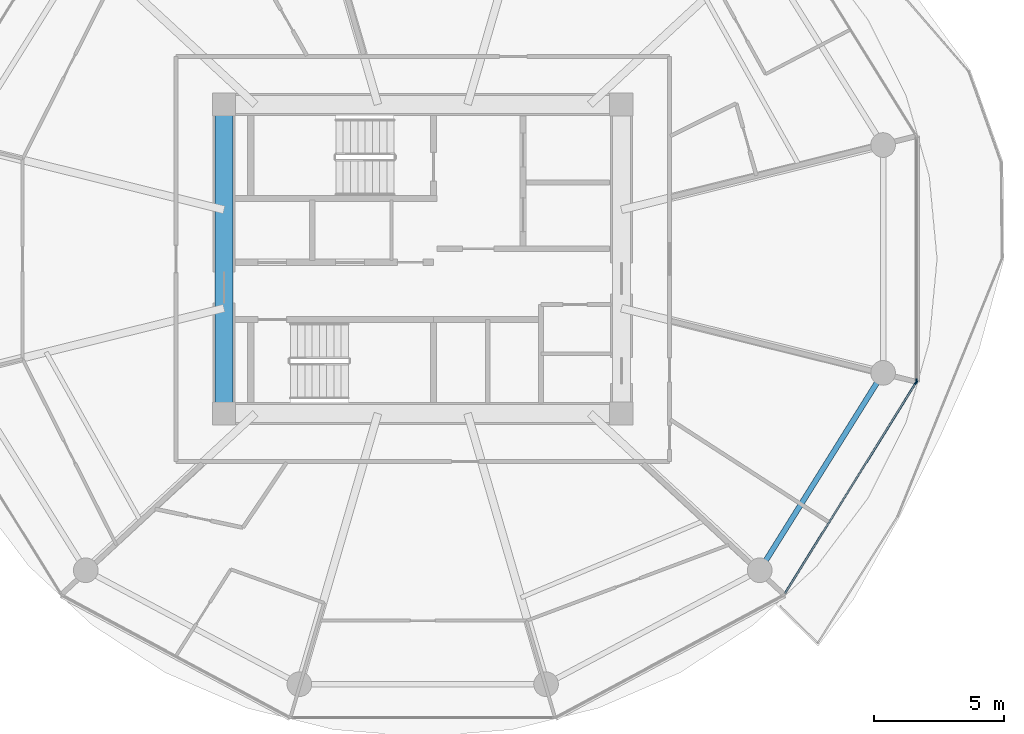
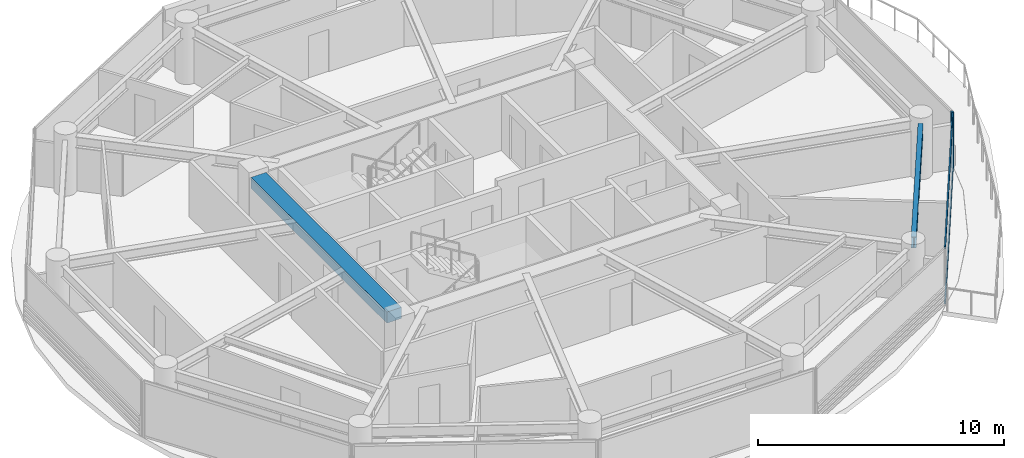
# One storey, part 12 of 28: 4 members, 2 beams, 2 elements without a shape of their own.
"""IFC4 building model written with IfcOpenShell, lengths in metres."""

import ifcopenshell
import ifcopenshell.guid

model = None  # the IFC model being written
_history = None  # IfcOwnerHistory: only IFC2X3 demands one
_inside = {}  # id of a spatial element -> (the spatial element, [elements in it])
_under = {}  # id of a project, library or spatial element -> (it, [spatial elements below it])
_declared = {}  # id of a project -> (the project, [libraries it declares])
_typed = {}  # id of a type object -> (the type object, [elements of that type])
_made_of = {}  # id of a material, layer set ... -> (it, [elements and type objects made of it])


def new_model(schema):
    """Start an empty IFC model of exactly this schema.

    Asked for "IFC4X3", IfcOpenShell would pick the latest addendum, in which some entities
    have other attributes; the version numbers below select the first issue.
    IFC2X3 requires an IfcOwnerHistory on every rooted entity: one is made here for all.
    """
    global model, _history
    if schema == "IFC4X3":
        model = ifcopenshell.file(schema_version=(4, 3, 0, 0))
    else:
        model = ifcopenshell.file(schema=schema)
    _inside.clear()
    _under.clear()
    _declared.clear()
    _typed.clear()
    _made_of.clear()
    _history = None
    if model.schema == "IFC2X3":
        org = make("IfcOrganization", Name="unknown")
        user = make(
            "IfcPersonAndOrganization",
            ThePerson=make("IfcPerson", FamilyName="unknown"),
            TheOrganization=org,
        )
        app = make(
            "IfcApplication",
            ApplicationDeveloper=org,
            Version="unknown",
            ApplicationFullName="unknown",
            ApplicationIdentifier="unknown",
        )
        _history = make(
            "IfcOwnerHistory",
            OwningUser=user,
            OwningApplication=app,
            ChangeAction="ADDED",
            CreationDate=0,
        )
    return model


def make(cls, **values):
    """One entity of the class cls with the attributes given. An attribute that is None is left unset."""
    return model.create_entity(
        cls, **{name: value for name, value in values.items() if value is not None}
    )


def rooted(cls, **values):
    """An entity with a GlobalId (a new one), such as an element, a storey or a relation."""
    return make(cls, GlobalId=ifcopenshell.guid.new(), OwnerHistory=_history, **values)


def si_unit(unit_type, name, prefix=None):
    """IfcSIUnit, for example si_unit("LENGTHUNIT", "METRE", prefix="MILLI")."""
    return make("IfcSIUnit", UnitType=unit_type, Prefix=prefix, Name=name)


def assignment(units):
    """IfcUnitAssignment: the units of a project."""
    return None if units is None else make("IfcUnitAssignment", Units=units)


def point(xyz):
    """IfcCartesianPoint."""
    return None if xyz is None else make("IfcCartesianPoint", Coordinates=xyz)


def direction(xyz):
    """IfcDirection."""
    return None if xyz is None else make("IfcDirection", DirectionRatios=xyz)


def frame(location, z_axis=None, x_axis=None):
    """IfcAxis2Placement3D, a coordinate frame: its origin and axes. An axis left out is left unset."""
    return make(
        "IfcAxis2Placement3D",
        Location=point(location),
        Axis=direction(z_axis),
        RefDirection=direction(x_axis),
    )


def frame_2d(location, x_axis=None):
    """IfcAxis2Placement2D, a coordinate frame in the plane: its origin and x axis."""
    return make(
        "IfcAxis2Placement2D", Location=point(location), RefDirection=direction(x_axis)
    )


def origin():
    """The frame at (0, 0, 0) with its axes left unset."""
    return frame((0.0, 0.0, 0.0))


def origin_2d():
    """The frame at (0, 0) in the plane with its x axis left unset."""
    return frame_2d((0.0, 0.0))


def place(relative_to, where):
    """IfcLocalPlacement: puts the frame where relative to a parent placement (None: the world)."""
    return make(
        "IfcLocalPlacement", PlacementRelTo=relative_to, RelativePlacement=where
    )


def context(
    kind, dimensions, precision=None, world=None, true_north=None, identifier=None
):
    """IfcGeometricRepresentationContext, for example the 3D "Model" context."""
    return make(
        "IfcGeometricRepresentationContext",
        ContextIdentifier=identifier,
        ContextType=kind,
        CoordinateSpaceDimension=dimensions,
        Precision=precision,
        WorldCoordinateSystem=world,
        TrueNorth=true_north,
    )


def subcontext(parent, identifier, kind, view, scale=None):
    """IfcGeometricRepresentationSubContext, for example "Body" below "Model"."""
    return make(
        "IfcGeometricRepresentationSubContext",
        ContextIdentifier=identifier,
        ContextType=kind,
        ParentContext=parent,
        TargetScale=scale,
        TargetView=view,
    )


def project(units=None, contexts=None):
    """IfcProject with its units and contexts."""
    return rooted(
        "IfcProject",
        Name="project",
        RepresentationContexts=contexts,
        UnitsInContext=assignment(units),
    )


def spatial(cls, under=None, at=None, **own):
    """A site, building, storey or space (cls), placed at a placement, below another one or the project."""
    s = rooted(cls, ObjectPlacement=at, **own)
    if under is not None:
        _under.setdefault(under.id(), (under, []))[1].append(s)
    return s


def profile(cls, at=None, kind="AREA", **sizes):
    """A parametric profile (cls). Its sizes go by their IFC names, for example OverallWidth=200.0."""
    return make(cls, ProfileType=kind, Position=at, **sizes)


def rectangle(**sizes):
    """IfcRectangleProfileDef."""
    return profile("IfcRectangleProfileDef", **sizes)


def i_section(**sizes):
    """IfcIShapeProfileDef."""
    return profile("IfcIShapeProfileDef", **sizes)


def extrude(swept, where, along, depth):
    """IfcExtrudedAreaSolid: the profile swept, set in the frame where, extruded along a direction by depth."""
    return make(
        "IfcExtrudedAreaSolid",
        SweptArea=swept,
        Position=where,
        ExtrudedDirection=direction(along),
        Depth=depth,
    )


def shape(context_of_items, identifier, shape_type, items):
    """IfcShapeRepresentation: the items that make up one representation, for example the "Body"."""
    return make(
        "IfcShapeRepresentation",
        ContextOfItems=context_of_items,
        RepresentationIdentifier=identifier,
        RepresentationType=shape_type,
        Items=items,
    )


def source(mapping_origin, context_of_items, identifier, shape_type, items):
    """IfcRepresentationMap: a shape defined once, which mapped items show again and again."""
    return make(
        "IfcRepresentationMap",
        MappingOrigin=mapping_origin,
        MappedRepresentation=shape(context_of_items, identifier, shape_type, items),
    )


def transform(
    local_origin,
    x_axis=None,
    y_axis=None,
    z_axis=None,
    scale=None,
    scale2=None,
    scale3=None,
    uniform=True,
):
    """IfcCartesianTransformationOperator3D, or its non-uniform kind. x_axis, y_axis, z_axis: its Axis1, 2, 3."""
    if uniform:
        return make(
            "IfcCartesianTransformationOperator3D",
            Axis1=direction(x_axis),
            Axis2=direction(y_axis),
            LocalOrigin=point(local_origin),
            Scale=scale,
            Axis3=direction(z_axis),
        )
    return make(
        "IfcCartesianTransformationOperator3DnonUniform",
        Axis1=direction(x_axis),
        Axis2=direction(y_axis),
        LocalOrigin=point(local_origin),
        Scale=scale,
        Axis3=direction(z_axis),
        Scale2=scale2,
        Scale3=scale3,
    )


def mapped(mapping_source, mapping_target):
    """IfcMappedItem: shows the shape of a source again, moved by a transform."""
    return make(
        "IfcMappedItem", MappingSource=mapping_source, MappingTarget=mapping_target
    )


def material(Name=None, Category=None):
    """IfcMaterial."""
    return make("IfcMaterial", Name=Name, Category=Category)


def layer(
    of_material, thickness, ventilated=None, Name=None, Category=None, Priority=None
):
    """IfcMaterialLayer: one layer of a wall or slab, of a material (None: an air gap)."""
    return make(
        "IfcMaterialLayer",
        Material=of_material,
        LayerThickness=thickness,
        IsVentilated=ventilated,
        Name=Name,
        Category=Category,
        Priority=Priority,
    )


def layer_set(layers, Name=None):
    """IfcMaterialLayerSet."""
    return make("IfcMaterialLayerSet", MaterialLayers=layers, LayerSetName=Name)


def material_profile(
    of_material, cross_section, Name=None, Category=None, Priority=None
):
    """IfcMaterialProfile: a cross section and its material."""
    return make(
        "IfcMaterialProfile",
        Name=Name,
        Material=of_material,
        Profile=cross_section,
        Priority=Priority,
        Category=Category,
    )


def profile_set(profiles, Name=None, composite=None):
    """IfcMaterialProfileSet."""
    return make(
        "IfcMaterialProfileSet",
        Name=Name,
        MaterialProfiles=profiles,
        CompositeProfile=composite,
    )


def made_of(thing, what):
    """Note that an element or type object is made of a material, layer set ...; save() writes the relation."""
    if what is not None:
        _made_of.setdefault(what.id(), (what, []))[1].append(thing)
    return thing


def type_object(cls, material=None, **own):
    """A type object (cls), such as IfcWallType, which elements share."""
    return made_of(rooted(cls, **own), material)


def type_shapes(of_type, sources):
    """Give a type object the sources (RepresentationMaps) that its elements show as mapped items."""
    of_type.RepresentationMaps = sources


def element(
    cls,
    number,
    at=None,
    inside=None,
    cuts=None,
    type_object=None,
    material=None,
    context=None,
    identifier="Body",
    shape_type=None,
    held_by="IfcProductDefinitionShape",
    body=None,
    shapes=None,
    **own,
):
    """One element of the class cls, such as IfcWall. Its Tag is "e" and its number.

    at: its placement. inside: the storey or other place that contains it. cuts: it is an
    opening in that element (IfcRelVoidsElement). A single representation is given by context,
    identifier, shape_type and body (its items); several are given by shapes. held_by: the class
    of the entity that holds the representations. save() writes the other relations.
    """
    e = rooted(cls, Tag="e%d" % number, ObjectPlacement=at, **own)
    if body is not None:
        shapes = [shape(context, identifier, shape_type, body)]
    if shapes is not None:
        e.Representation = make(held_by, Representations=shapes)
    if inside is not None:
        _inside.setdefault(inside.id(), (inside, []))[1].append(e)
    if cuts is not None:
        rooted(
            "IfcRelVoidsElement", RelatingBuildingElement=cuts, RelatedOpeningElement=e
        )
    if type_object is not None:
        _typed.setdefault(type_object.id(), (type_object, []))[1].append(e)
    return made_of(e, material)


def aggregate(whole, parts):
    """IfcRelAggregates: a whole, such as a stair, and the parts it consists of."""
    return rooted("IfcRelAggregates", RelatingObject=whole, RelatedObjects=parts)


def save(model, path):
    """Write the relations noted so far, then the file.

    IfcRelAggregates (storeys below a building ...), IfcRelContainedInSpatialStructure (elements
    in a storey), IfcRelDefinesByType, IfcRelAssociatesMaterial and IfcRelDeclares: one each for
    every whole, place, type object, material and project.
    """
    for whole, parts in _under.values():
        aggregate(whole, parts)
    for where, things in _inside.values():
        rooted(
            "IfcRelContainedInSpatialStructure",
            RelatedElements=things,
            RelatingStructure=where,
        )
    for kind, things in _typed.values():
        rooted("IfcRelDefinesByType", RelatedObjects=things, RelatingType=kind)
    for what, things in _made_of.values():
        rooted("IfcRelAssociatesMaterial", RelatedObjects=things, RelatingMaterial=what)
    for by, libraries in _declared.values():
        rooted("IfcRelDeclares", RelatingContext=by, RelatedDefinitions=libraries)
    model.write(path)


model = new_model("IFC4")

# Units and contexts
model_context = context("Model", 3, precision=1e-05, world=origin(), true_north=direction((0.0, 1.0)))
body_context = subcontext(model_context, "Body", "Model", "MODEL_VIEW")
ifc_project = project(units=[si_unit("LENGTHUNIT", "METRE"), si_unit("AREAUNIT", "SQUARE_METRE"), si_unit("VOLUMEUNIT", "CUBIC_METRE"), si_unit("PLANEANGLEUNIT", "RADIAN"), si_unit("MASSUNIT", "GRAM", prefix="KILO")], contexts=[model_context])

# Site, building, storey
site_placement = place(None, origin())
site = spatial("IfcSite", under=ifc_project, at=site_placement, CompositionType="ELEMENT")
building_placement = place(site_placement, origin())
building = spatial("IfcBuilding", under=site, at=building_placement, Name="Norrkilde Senior Care Towers", CompositionType="ELEMENT")
storey_placement = place(building_placement, frame((0.0, 0.0, 39.89990234375)))
storey = spatial("IfcBuildingStorey", under=building, at=storey_placement, Name="L11", CompositionType="ELEMENT", Elevation=39.89990234375)

# Beams
ifc_material_1 = material(Name="Concrete C60/75", Category="concrete")
ifc_material_profile_1 = material_profile(ifc_material_1, rectangle(XDim=0.699951171875, YDim=0.550048828125, at=origin_2d()), Name="RC BM 700x550")
ifc_profile_set_1 = profile_set([ifc_material_profile_1], Name="Concrete C60/75")
beam_type_1 = type_object("IfcBeamType", Name="Core Portal Coupling Beam 700x550", PredefinedType="USERDEFINED", material=ifc_profile_set_1)
shared_shape_1 = source(origin(), body_context, "Body", "SweptSolid", [
    extrude(rectangle(XDim=0.699951171875, YDim=0.550048828125, at=origin_2d()), origin(), (0.0, 0.0, 1.0), 11.0400390625),
])
type_shapes(beam_type_1, [shared_shape_1])
beam_1_placement = place(storey_placement, frame((20.35009765625, -5.52001953125, 2.51513671875), z_axis=(0.0, 1.0, 0.0), x_axis=(-1.0, 0.0, 0.0)))
element("IfcBeam", 1, at=beam_1_placement, inside=storey, type_object=beam_type_1, Name="L11 Core E W Coupling Girder", ObjectType="GIRDER", PredefinedType="USERDEFINED", context=body_context, shape_type="MappedRepresentation", body=[
    mapped(shared_shape_1, transform((0.0, 0.0, 0.0), x_axis=(1.0, 0.0, 0.0), y_axis=(0.0, 1.0, 0.0), z_axis=(0.0, 0.0, 1.0), scale=1.0)),
])
ifc_material_2 = material(Name="Steel S355", Category="steel")
ifc_material_profile_2 = material_profile(ifc_material_2, i_section(OverallWidth=0.2099609375, OverallDepth=0.550048828125, WebThickness=0.010986328125, FlangeThickness=0.01708984375, FilletRadius=0.02392578125, at=origin_2d()), Name="IPE 550")
ifc_profile_set_2 = profile_set([ifc_material_profile_2], Name="Steel S355")
beam_type_2 = type_object("IfcBeamType", Name="Perimeter Ring Spandrel Z1 IPE550", PredefinedType="SPANDREL", material=ifc_profile_set_2)
shared_shape_2 = source(origin(), body_context, "Body", "SweptSolid", [
    extrude(i_section(OverallWidth=0.2099609375, OverallDepth=0.550048828125, WebThickness=0.010986328125, FlangeThickness=0.01708984375, FilletRadius=0.02392578125, at=origin_2d()), origin(), (0.0, 0.0, 1.0), 8.090576171875),
])
type_shapes(beam_type_2, [shared_shape_2])
beam_2_placement = place(storey_placement, frame((41.2060546875, -11.61669921875, 2.51513671875), z_axis=(0.530004364821, 0.84799491347, 0.0), x_axis=(-0.84799491347, 0.530004364821, 0.0)))
element("IfcBeam", 2, at=beam_2_placement, inside=storey, type_object=beam_type_2, Name="L11 Drum E Perimeter Spandrel 11", PredefinedType="SPANDREL", context=body_context, shape_type="MappedRepresentation", body=[
    mapped(shared_shape_2, transform((0.0, 0.0, 0.0), x_axis=(1.0, 0.0, 0.0), y_axis=(0.0, 1.0, 0.0), z_axis=(0.0, 0.0, 1.0), scale=1.0)),
])

# Curtain wall, member
ifc_material_3 = material(Name="Triple Low-E Insulated Glazing", Category="glass")
ifc_layer = layer(ifc_material_3, 0.199951171875)
ifc_layer_set = layer_set([ifc_layer], Name="Triple Low-E Insulated Glazing")
curtain_wall_type = type_object("IfcCurtainWallType", Name="CW2 Zone 1 Memory Care Curtain Wall", PredefinedType="NOTDEFINED", material=ifc_layer_set)
curtain_wall_1_placement = place(storey_placement, origin())
curtain_wall_1 = element("IfcCurtainWall", 3, at=curtain_wall_1_placement, inside=storey, type_object=curtain_wall_type, Name="L11 Drum E Curtain Wall 10", PredefinedType="NOTDEFINED")
ifc_material_4 = material(Name="Anodised Aluminium", Category="aluminium")
ifc_material_profile_3 = material_profile(ifc_material_4, rectangle(XDim=0.06494140625, YDim=0.159912109375, at=origin_2d()), Name="ALU MULL 65x160")
ifc_profile_set_3 = profile_set([ifc_material_profile_3], Name="Anodised Aluminium")
member_type_1 = type_object("IfcMemberType", Name="Curtain Wall Mullion Z1-Z2 65x160", PredefinedType="MULLION", material=ifc_profile_set_3)
shared_shape_3 = source(origin(), body_context, "Body", "SweptSolid", [
    extrude(rectangle(XDim=0.06494140625, YDim=0.159912109375, at=origin_2d()), origin(), (0.0, 0.0, 1.0), 2.7900390625),
])
type_shapes(member_type_1, [shared_shape_3])
member_1_placement = place(storey_placement, frame((46.9921875, -4.7587890625, 0.0), z_axis=(0.0, 0.0, 1.0), x_axis=(0.849305943117, -0.527900951871, 0.0)))
member_1 = element("IfcMember", 4, at=member_1_placement, type_object=member_type_1, Name="CW-2 mullion 1", PredefinedType="MULLION", context=body_context, shape_type="MappedRepresentation", body=[
    mapped(shared_shape_3, transform((0.0, 0.0, 0.0), x_axis=(1.0, 0.0, 0.0), y_axis=(0.0, 1.0, 0.0), z_axis=(0.0, 0.0, 1.0), scale=1.0)),
])

curtain_wall_2_placement = place(storey_placement, origin())
curtain_wall_2 = element("IfcCurtainWall", 5, at=curtain_wall_2_placement, inside=storey, type_object=curtain_wall_type, Name="L11 Drum E Curtain Wall 11", PredefinedType="NOTDEFINED")
member_2_placement = place(storey_placement, frame((47.009521484375, -4.69873046875, 0.0), z_axis=(0.0, 0.0, 1.0), x_axis=(1.0, 0.0, 0.0)))
member_2 = element("IfcMember", 6, at=member_2_placement, type_object=member_type_1, Name="CW-2 mullion 2", PredefinedType="MULLION", context=body_context, shape_type="MappedRepresentation", body=[
    mapped(shared_shape_3, transform((0.0, 0.0, 0.0), x_axis=(1.0, 0.0, 0.0), y_axis=(0.0, 1.0, 0.0), z_axis=(0.0, 0.0, 1.0), scale=1.0)),
])
aggregate(curtain_wall_2, [member_2])

# Member
ifc_material_profile_4 = material_profile(ifc_material_4, rectangle(XDim=0.06005859375, YDim=0.1201171875, at=origin_2d()), Name="ALU TRAN 60x120")
ifc_profile_set_4 = profile_set([ifc_material_profile_4], Name="Anodised Aluminium")
member_type_2 = type_object("IfcMemberType", Name="Curtain Wall Transom Typical 60x120", PredefinedType="USERDEFINED", material=ifc_profile_set_4)
shared_shape_4 = source(origin(), body_context, "Body", "SweptSolid", [
    extrude(rectangle(XDim=0.06005859375, YDim=0.1201171875, at=origin_2d()), origin(), (0.0, 0.0, 1.0), 9.5185546875),
])
type_shapes(member_type_2, [shared_shape_4])
member_3_placement = place(storey_placement, frame((46.97509765625, -4.786376953125, 0.030029296875), z_axis=(-0.527901620669, -0.849305527413, 0.0), x_axis=(0.849305527413, -0.527901620669, 0.0)))
member_3 = element("IfcMember", 7, at=member_3_placement, type_object=member_type_2, Name="CW-2 transom 1.1", ObjectType="TRANSOM", PredefinedType="USERDEFINED", context=body_context, shape_type="MappedRepresentation", body=[
    mapped(shared_shape_4, transform((0.0, 0.0, 0.0), x_axis=(1.0, 0.0, 0.0), y_axis=(0.0, 1.0, 0.0), z_axis=(0.0, 0.0, 1.0), scale=1.0)),
])

member_4_placement = place(storey_placement, frame((46.97509765625, -4.786376953125, 2.760009765625), z_axis=(-0.527901620669, -0.849305527413, 0.0), x_axis=(0.849305527413, -0.527901620669, 0.0)))
member_4 = element("IfcMember", 8, at=member_4_placement, type_object=member_type_2, Name="CW-2 transom 1.2", ObjectType="TRANSOM", PredefinedType="USERDEFINED", context=body_context, shape_type="MappedRepresentation", body=[
    mapped(shared_shape_4, transform((0.0, 0.0, 0.0), x_axis=(1.0, 0.0, 0.0), y_axis=(0.0, 1.0, 0.0), z_axis=(0.0, 0.0, 1.0), scale=1.0)),
])

aggregate(curtain_wall_1, [member_1, member_3, member_4])

save(model, "model.ifc")
